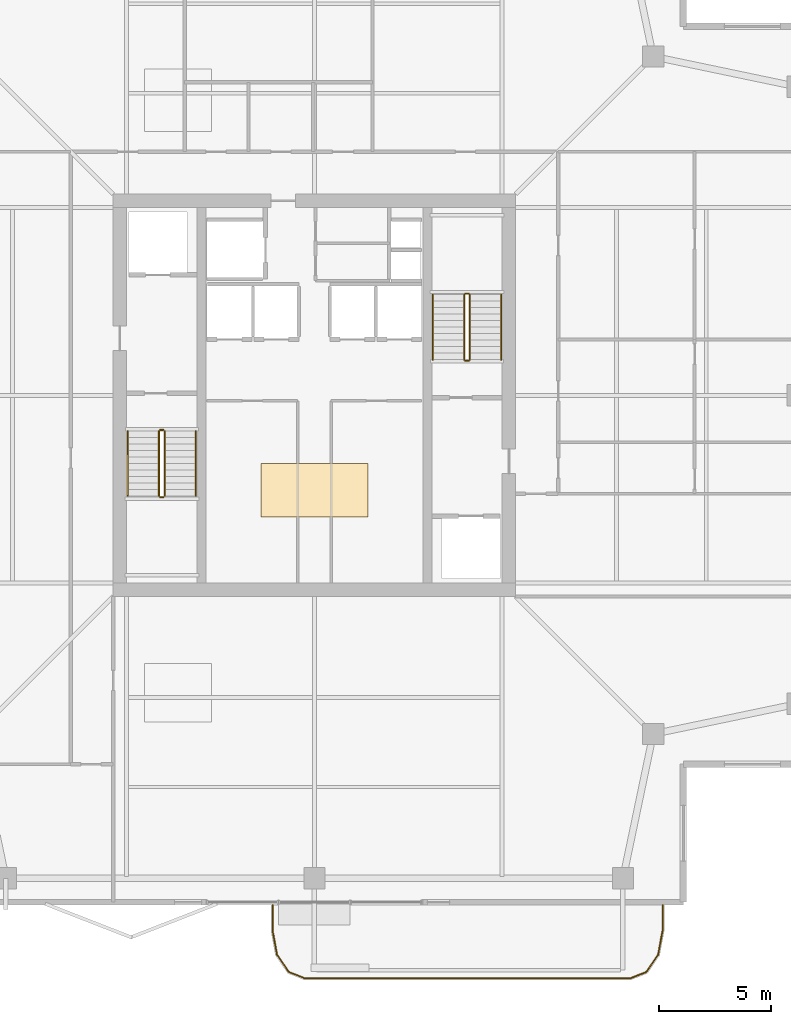
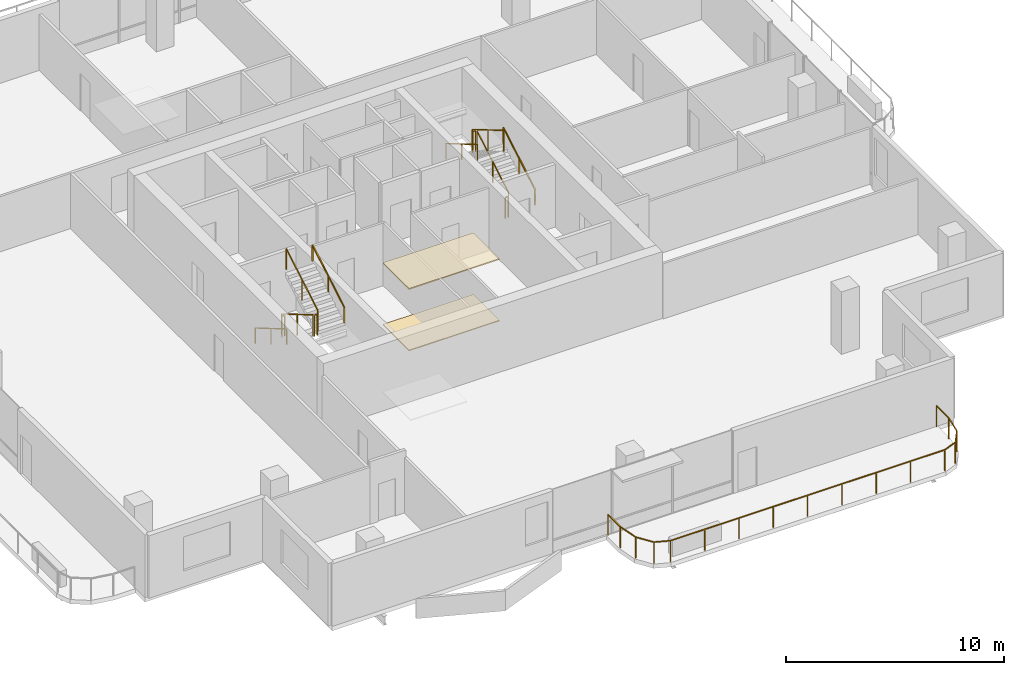
# One storey, part 17 of 18: 13 railings, 2 coverings.
"""IFC4 building model written with IfcOpenShell, lengths in metres."""

import ifcopenshell
import ifcopenshell.guid

model = None  # the IFC model being written
_history = None  # IfcOwnerHistory: only IFC2X3 demands one
_inside = {}  # id of a spatial element -> (the spatial element, [elements in it])
_under = {}  # id of a project, library or spatial element -> (it, [spatial elements below it])
_declared = {}  # id of a project -> (the project, [libraries it declares])
_typed = {}  # id of a type object -> (the type object, [elements of that type])
_made_of = {}  # id of a material, layer set ... -> (it, [elements and type objects made of it])


def new_model(schema):
    """Start an empty IFC model of exactly this schema.

    Asked for "IFC4X3", IfcOpenShell would pick the latest addendum, in which some entities
    have other attributes; the version numbers below select the first issue.
    IFC2X3 requires an IfcOwnerHistory on every rooted entity: one is made here for all.
    """
    global model, _history
    if schema == "IFC4X3":
        model = ifcopenshell.file(schema_version=(4, 3, 0, 0))
    else:
        model = ifcopenshell.file(schema=schema)
    _inside.clear()
    _under.clear()
    _declared.clear()
    _typed.clear()
    _made_of.clear()
    _history = None
    if model.schema == "IFC2X3":
        org = make("IfcOrganization", Name="unknown")
        user = make(
            "IfcPersonAndOrganization",
            ThePerson=make("IfcPerson", FamilyName="unknown"),
            TheOrganization=org,
        )
        app = make(
            "IfcApplication",
            ApplicationDeveloper=org,
            Version="unknown",
            ApplicationFullName="unknown",
            ApplicationIdentifier="unknown",
        )
        _history = make(
            "IfcOwnerHistory",
            OwningUser=user,
            OwningApplication=app,
            ChangeAction="ADDED",
            CreationDate=0,
        )
    return model


def make(cls, **values):
    """One entity of the class cls with the attributes given. An attribute that is None is left unset."""
    return model.create_entity(
        cls, **{name: value for name, value in values.items() if value is not None}
    )


def rooted(cls, **values):
    """An entity with a GlobalId (a new one), such as an element, a storey or a relation."""
    return make(cls, GlobalId=ifcopenshell.guid.new(), OwnerHistory=_history, **values)


def si_unit(unit_type, name, prefix=None):
    """IfcSIUnit, for example si_unit("LENGTHUNIT", "METRE", prefix="MILLI")."""
    return make("IfcSIUnit", UnitType=unit_type, Prefix=prefix, Name=name)


def assignment(units):
    """IfcUnitAssignment: the units of a project."""
    return None if units is None else make("IfcUnitAssignment", Units=units)


def point(xyz):
    """IfcCartesianPoint."""
    return None if xyz is None else make("IfcCartesianPoint", Coordinates=xyz)


def direction(xyz):
    """IfcDirection."""
    return None if xyz is None else make("IfcDirection", DirectionRatios=xyz)


def frame(location, z_axis=None, x_axis=None):
    """IfcAxis2Placement3D, a coordinate frame: its origin and axes. An axis left out is left unset."""
    return make(
        "IfcAxis2Placement3D",
        Location=point(location),
        Axis=direction(z_axis),
        RefDirection=direction(x_axis),
    )


def frame_2d(location, x_axis=None):
    """IfcAxis2Placement2D, a coordinate frame in the plane: its origin and x axis."""
    return make(
        "IfcAxis2Placement2D", Location=point(location), RefDirection=direction(x_axis)
    )


def origin():
    """The frame at (0, 0, 0) with its axes left unset."""
    return frame((0.0, 0.0, 0.0))


def origin_2d():
    """The frame at (0, 0) in the plane with its x axis left unset."""
    return frame_2d((0.0, 0.0))


def place(relative_to, where):
    """IfcLocalPlacement: puts the frame where relative to a parent placement (None: the world)."""
    return make(
        "IfcLocalPlacement", PlacementRelTo=relative_to, RelativePlacement=where
    )


def context(
    kind, dimensions, precision=None, world=None, true_north=None, identifier=None
):
    """IfcGeometricRepresentationContext, for example the 3D "Model" context."""
    return make(
        "IfcGeometricRepresentationContext",
        ContextIdentifier=identifier,
        ContextType=kind,
        CoordinateSpaceDimension=dimensions,
        Precision=precision,
        WorldCoordinateSystem=world,
        TrueNorth=true_north,
    )


def subcontext(parent, identifier, kind, view, scale=None):
    """IfcGeometricRepresentationSubContext, for example "Body" below "Model"."""
    return make(
        "IfcGeometricRepresentationSubContext",
        ContextIdentifier=identifier,
        ContextType=kind,
        ParentContext=parent,
        TargetScale=scale,
        TargetView=view,
    )


def project(units=None, contexts=None):
    """IfcProject with its units and contexts."""
    return rooted(
        "IfcProject",
        Name="project",
        RepresentationContexts=contexts,
        UnitsInContext=assignment(units),
    )


def spatial(cls, under=None, at=None, **own):
    """A site, building, storey or space (cls), placed at a placement, below another one or the project."""
    s = rooted(cls, ObjectPlacement=at, **own)
    if under is not None:
        _under.setdefault(under.id(), (under, []))[1].append(s)
    return s


def polyline(points):
    """IfcPolyline through the points."""
    return make("IfcPolyline", Points=[point(p) for p in points])


def profile(cls, at=None, kind="AREA", **sizes):
    """A parametric profile (cls). Its sizes go by their IFC names, for example OverallWidth=200.0."""
    return make(cls, ProfileType=kind, Position=at, **sizes)


def rectangle(**sizes):
    """IfcRectangleProfileDef."""
    return profile("IfcRectangleProfileDef", **sizes)


def outline(outer, holes=None, kind="AREA"):
    """IfcArbitraryClosedProfileDef: a profile drawn as a closed curve; with holes, ...WithVoids."""
    if holes is None:
        return make("IfcArbitraryClosedProfileDef", ProfileType=kind, OuterCurve=outer)
    return make(
        "IfcArbitraryProfileDefWithVoids",
        ProfileType=kind,
        OuterCurve=outer,
        InnerCurves=holes,
    )


def extrude(swept, where, along, depth):
    """IfcExtrudedAreaSolid: the profile swept, set in the frame where, extruded along a direction by depth."""
    return make(
        "IfcExtrudedAreaSolid",
        SweptArea=swept,
        Position=where,
        ExtrudedDirection=direction(along),
        Depth=depth,
    )


def shape(context_of_items, identifier, shape_type, items):
    """IfcShapeRepresentation: the items that make up one representation, for example the "Body"."""
    return make(
        "IfcShapeRepresentation",
        ContextOfItems=context_of_items,
        RepresentationIdentifier=identifier,
        RepresentationType=shape_type,
        Items=items,
    )


def material(Name=None, Category=None):
    """IfcMaterial."""
    return make("IfcMaterial", Name=Name, Category=Category)


def layer(
    of_material, thickness, ventilated=None, Name=None, Category=None, Priority=None
):
    """IfcMaterialLayer: one layer of a wall or slab, of a material (None: an air gap)."""
    return make(
        "IfcMaterialLayer",
        Material=of_material,
        LayerThickness=thickness,
        IsVentilated=ventilated,
        Name=Name,
        Category=Category,
        Priority=Priority,
    )


def layer_set(layers, Name=None):
    """IfcMaterialLayerSet."""
    return make("IfcMaterialLayerSet", MaterialLayers=layers, LayerSetName=Name)


def made_of(thing, what):
    """Note that an element or type object is made of a material, layer set ...; save() writes the relation."""
    if what is not None:
        _made_of.setdefault(what.id(), (what, []))[1].append(thing)
    return thing


def type_object(cls, material=None, **own):
    """A type object (cls), such as IfcWallType, which elements share."""
    return made_of(rooted(cls, **own), material)


def element(
    cls,
    number,
    at=None,
    inside=None,
    cuts=None,
    type_object=None,
    material=None,
    context=None,
    identifier="Body",
    shape_type=None,
    held_by="IfcProductDefinitionShape",
    body=None,
    shapes=None,
    **own,
):
    """One element of the class cls, such as IfcWall. Its Tag is "e" and its number.

    at: its placement. inside: the storey or other place that contains it. cuts: it is an
    opening in that element (IfcRelVoidsElement). A single representation is given by context,
    identifier, shape_type and body (its items); several are given by shapes. held_by: the class
    of the entity that holds the representations. save() writes the other relations.
    """
    e = rooted(cls, Tag="e%d" % number, ObjectPlacement=at, **own)
    if body is not None:
        shapes = [shape(context, identifier, shape_type, body)]
    if shapes is not None:
        e.Representation = make(held_by, Representations=shapes)
    if inside is not None:
        _inside.setdefault(inside.id(), (inside, []))[1].append(e)
    if cuts is not None:
        rooted(
            "IfcRelVoidsElement", RelatingBuildingElement=cuts, RelatedOpeningElement=e
        )
    if type_object is not None:
        _typed.setdefault(type_object.id(), (type_object, []))[1].append(e)
    return made_of(e, material)


def aggregate(whole, parts):
    """IfcRelAggregates: a whole, such as a stair, and the parts it consists of."""
    return rooted("IfcRelAggregates", RelatingObject=whole, RelatedObjects=parts)


def save(model, path):
    """Write the relations noted so far, then the file.

    IfcRelAggregates (storeys below a building ...), IfcRelContainedInSpatialStructure (elements
    in a storey), IfcRelDefinesByType, IfcRelAssociatesMaterial and IfcRelDeclares: one each for
    every whole, place, type object, material and project.
    """
    for whole, parts in _under.values():
        aggregate(whole, parts)
    for where, things in _inside.values():
        rooted(
            "IfcRelContainedInSpatialStructure",
            RelatedElements=things,
            RelatingStructure=where,
        )
    for kind, things in _typed.values():
        rooted("IfcRelDefinesByType", RelatedObjects=things, RelatingType=kind)
    for what, things in _made_of.values():
        rooted("IfcRelAssociatesMaterial", RelatedObjects=things, RelatingMaterial=what)
    for by, libraries in _declared.values():
        rooted("IfcRelDeclares", RelatingContext=by, RelatedDefinitions=libraries)
    model.write(path)


model = new_model("IFC4")

# Units and contexts
model_context = context("Model", 3, precision=1e-05, world=origin(), true_north=direction((0.0, 1.0)))
body_context = subcontext(model_context, "Body", "Model", "MODEL_VIEW")
ifc_project = project(units=[si_unit("LENGTHUNIT", "METRE"), si_unit("AREAUNIT", "SQUARE_METRE"), si_unit("VOLUMEUNIT", "CUBIC_METRE"), si_unit("PLANEANGLEUNIT", "RADIAN"), si_unit("MASSUNIT", "GRAM", prefix="KILO")], contexts=[model_context])

# Site, building, storey
site_placement = place(None, origin())
site = spatial("IfcSite", under=ifc_project, at=site_placement, CompositionType="ELEMENT")
building_placement = place(site_placement, origin())
building = spatial("IfcBuilding", under=site, at=building_placement, Name="Belovzor Exchange Tower", CompositionType="ELEMENT")
storey_placement = place(building_placement, frame((0.0, 0.0, 318.0)))
storey = spatial("IfcBuildingStorey", under=building, at=storey_placement, Name="L79", CompositionType="ELEMENT", Elevation=318.0)

# Railings
ifc_material_1 = material(Name="Stainless Steel Grade 304", Category="steel")
railing_type_1 = type_object("IfcRailingType", Name="Brushed Stainless Steel Stair Handrail 900", PredefinedType="HANDRAIL", material=ifc_material_1)
railing_1_placement = place(storey_placement, frame((20.449951171875, 27.199951171875, 0.17041015625)))
element("IfcRailing", 1, at=railing_1_placement, inside=storey, type_object=railing_type_1, Name="L79 ST-1 stair handrail 1", PredefinedType="HANDRAIL", context=body_context, shape_type="SweptSolid", body=[
    extrude(rectangle(XDim=0.048095703125, YDim=0.048095703125, at=origin_2d()), frame((0.0, 0.0, 0.8759765625), z_axis=(0.0, -0.86209462966, 0.506747323142), x_axis=(1.0, 0.0, 0.0)), (0.0, 0.0, 1.0), 3.36376953125),
    extrude(rectangle(XDim=0.0419921875, YDim=0.0419921875, at=origin_2d()), origin(), (0.0, 0.0, 1.0), 0.851806640625),
    extrude(rectangle(XDim=0.0419921875, YDim=0.0419921875, at=origin_2d()), frame((0.0, -1.449951171875, 0.852294921875)), (0.0, 0.0, 1.0), 0.851806640625),
    extrude(rectangle(XDim=0.0419921875, YDim=0.0419921875, at=origin_2d()), frame((0.0, -2.89990234375, 1.70458984375)), (0.0, 0.0, 1.0), 0.851806640625),
])
railing_2_placement = place(storey_placement, frame((23.5, 24.300048828125, 2.04541015625)))
element("IfcRailing", 2, at=railing_2_placement, inside=storey, type_object=railing_type_1, Name="L79 ST-1 stair handrail 2", PredefinedType="HANDRAIL", context=body_context, shape_type="SweptSolid", body=[
    extrude(rectangle(XDim=0.048095703125, YDim=0.048095703125, at=origin_2d()), frame((0.0, 0.0, 0.8759765625), z_axis=(0.0, 0.86209462966, 0.506747323142), x_axis=(-1.0, 0.0, 0.0)), (0.0, 0.0, 1.0), 3.36376953125),
    extrude(rectangle(XDim=0.0419921875, YDim=0.0419921875, at=origin_2d()), origin(), (0.0, 0.0, 1.0), 0.851806640625),
    extrude(rectangle(XDim=0.0419921875, YDim=0.0419921875, at=origin_2d()), frame((0.0, 1.449951171875, 0.852294921875)), (0.0, 0.0, 1.0), 0.851806640625),
    extrude(rectangle(XDim=0.0419921875, YDim=0.0419921875, at=origin_2d()), frame((0.0, 2.89990234375, 1.70458984375)), (0.0, 0.0, 1.0), 0.851806640625),
])
railing_3_placement = place(storey_placement, frame((37.14990234375, 30.39990234375, 0.17041015625)))
element("IfcRailing", 3, at=railing_3_placement, inside=storey, type_object=railing_type_1, Name="L79 ST-2 stair handrail 1", PredefinedType="HANDRAIL", context=body_context, shape_type="SweptSolid", body=[
    extrude(rectangle(XDim=0.048095703125, YDim=0.048095703125, at=origin_2d()), frame((0.0, 0.0, 0.8759765625), z_axis=(0.0, 0.862113265706, 0.506715617574), x_axis=(-1.0, 0.0, 0.0)), (0.0, 0.0, 1.0), 3.364013671875),
    extrude(rectangle(XDim=0.0419921875, YDim=0.0419921875, at=origin_2d()), origin(), (0.0, 0.0, 1.0), 0.851806640625),
    extrude(rectangle(XDim=0.0419921875, YDim=0.0419921875, at=origin_2d()), frame((0.0, 1.4501953125, 0.852294921875)), (0.0, 0.0, 1.0), 0.851806640625),
    extrude(rectangle(XDim=0.0419921875, YDim=0.0419921875, at=origin_2d()), frame((0.0, 2.900146484375, 1.70458984375)), (0.0, 0.0, 1.0), 0.851806640625),
])
railing_4_placement = place(storey_placement, frame((34.10009765625, 33.300048828125, 2.04541015625)))
element("IfcRailing", 4, at=railing_4_placement, inside=storey, type_object=railing_type_1, Name="L79 ST-2 stair handrail 2", PredefinedType="HANDRAIL", context=body_context, shape_type="SweptSolid", body=[
    extrude(rectangle(XDim=0.048095703125, YDim=0.048095703125, at=origin_2d()), frame((0.0, 0.0, 0.8759765625), z_axis=(0.0, -0.862113265706, 0.506715617574), x_axis=(1.0, 0.0, 0.0)), (0.0, 0.0, 1.0), 3.364013671875),
    extrude(rectangle(XDim=0.0419921875, YDim=0.0419921875, at=origin_2d()), origin(), (0.0, 0.0, 1.0), 0.851806640625),
    extrude(rectangle(XDim=0.0419921875, YDim=0.0419921875, at=origin_2d()), frame((0.0, -1.4501953125, 0.852294921875)), (0.0, 0.0, 1.0), 0.851806640625),
    extrude(rectangle(XDim=0.0419921875, YDim=0.0419921875, at=origin_2d()), frame((0.0, -2.900146484375, 1.70458984375)), (0.0, 0.0, 1.0), 0.851806640625),
])
ifc_material_2 = material(Name="Stainless Steel and Laminated Safety Glass", Category="steel")
railing_type_2 = type_object("IfcRailingType", Name="Laminated Glass & Stainless Steel Balcony Balustrade 1200", PredefinedType="BALUSTRADE", material=ifc_material_2)
railing_5_placement = place(storey_placement, frame((26.929931640625, 5.989990234375, 0.0)))
element("IfcRailing", 5, at=railing_5_placement, inside=storey, type_object=railing_type_2, Name="GR-1 Balcony Balustrade L79 South", PredefinedType="BALUSTRADE", context=body_context, shape_type="SweptSolid", body=[
    extrude(rectangle(XDim=0.048095703125, YDim=0.048095703125, at=origin_2d()), frame((0.0, 0.0, 1.17578125), z_axis=(0.0, -1.0, 0.0), x_axis=(1.0, 0.0, 0.0)), (0.0, 0.0, 1.0), 1.133056640625),
    extrude(rectangle(XDim=0.048095703125, YDim=0.048095703125, at=origin_2d()), frame((0.0, -1.133056640625, 1.17578125), z_axis=(0.180122719713, -0.983644145941, 0.0), x_axis=(0.983644145941, 0.180122719713, 0.0)), (0.0, 0.0, 1.0), 1.09375),
    extrude(rectangle(XDim=0.048095703125, YDim=0.048095703125, at=origin_2d()), frame((0.197021484375, -2.208984375, 1.17578125), z_axis=(0.56294695933, -0.826493025367, 0.0), x_axis=(0.826493025367, 0.56294695933, 0.0)), (0.0, 0.0, 1.0), 0.932861328125),
    extrude(rectangle(XDim=0.048095703125, YDim=0.048095703125, at=origin_2d()), frame((0.72216796875, -2.97998046875, 1.17578125), z_axis=(0.930766990125, -0.365612923861, 0.0), x_axis=(0.365612923861, 0.930766990125, 0.0)), (0.0, 0.0, 1.0), 0.765869140625),
    extrude(rectangle(XDim=0.048095703125, YDim=0.048095703125, at=origin_2d()), frame((1.43505859375, -3.260009765625, 1.17578125), z_axis=(1.0, 0.0, 0.0), x_axis=(0.0, 1.0, 0.0)), (0.0, 0.0, 1.0), 14.570068359375),
    extrude(rectangle(XDim=0.048095703125, YDim=0.048095703125, at=origin_2d()), frame((16.005126953125, -3.260009765625, 1.17578125), z_axis=(0.930766990125, 0.365612923861, 0.0), x_axis=(-0.365612923861, 0.930766990125, 0.0)), (0.0, 0.0, 1.0), 0.765869140625),
    extrude(rectangle(XDim=0.048095703125, YDim=0.048095703125, at=origin_2d()), frame((16.718017578125, -2.97998046875, 1.17578125), z_axis=(0.56294695933, 0.826493025367, 0.0), x_axis=(-0.826493025367, 0.56294695933, 0.0)), (0.0, 0.0, 1.0), 0.932861328125),
    extrude(rectangle(XDim=0.048095703125, YDim=0.048095703125, at=origin_2d()), frame((17.2431640625, -2.208984375, 1.17578125), z_axis=(0.180122719713, 0.983644145941, 0.0), x_axis=(-0.983644145941, 0.180122719713, 0.0)), (0.0, 0.0, 1.0), 1.09375),
    extrude(rectangle(XDim=0.048095703125, YDim=0.048095703125, at=origin_2d()), frame((17.440185546875, -1.133056640625, 1.17578125), z_axis=(0.0, 1.0, 0.0), x_axis=(-1.0, 0.0, 0.0)), (0.0, 0.0, 1.0), 1.133056640625),
    extrude(rectangle(XDim=0.0419921875, YDim=0.0419921875, at=origin_2d()), origin(), (0.0, 0.0, 1.0), 1.15185546875),
    extrude(rectangle(XDim=0.0419921875, YDim=0.0419921875, at=origin_2d()), frame((0.0, -1.133056640625, 0.0)), (0.0, 0.0, 1.0), 1.15185546875),
    extrude(rectangle(XDim=0.0419921875, YDim=0.0419921875, at=origin_2d()), frame((0.197021484375, -2.208984375, 0.0)), (0.0, 0.0, 1.0), 1.15185546875),
    extrude(rectangle(XDim=0.0419921875, YDim=0.0419921875, at=origin_2d()), frame((0.72216796875, -2.97998046875, 0.0)), (0.0, 0.0, 1.0), 1.15185546875),
    extrude(rectangle(XDim=0.0419921875, YDim=0.0419921875, at=origin_2d()), frame((1.43505859375, -3.260009765625, 0.0)), (0.0, 0.0, 1.0), 1.15185546875),
    extrude(rectangle(XDim=0.0419921875, YDim=0.0419921875, at=origin_2d()), frame((3.25634765625, -3.260009765625, 0.0)), (0.0, 0.0, 1.0), 1.15185546875),
    extrude(rectangle(XDim=0.0419921875, YDim=0.0419921875, at=origin_2d()), frame((5.07763671875, -3.260009765625, 0.0)), (0.0, 0.0, 1.0), 1.15185546875),
    extrude(rectangle(XDim=0.0419921875, YDim=0.0419921875, at=origin_2d()), frame((6.89892578125, -3.260009765625, 0.0)), (0.0, 0.0, 1.0), 1.15185546875),
    extrude(rectangle(XDim=0.0419921875, YDim=0.0419921875, at=origin_2d()), frame((8.72021484375, -3.260009765625, 0.0)), (0.0, 0.0, 1.0), 1.15185546875),
    extrude(rectangle(XDim=0.0419921875, YDim=0.0419921875, at=origin_2d()), frame((10.541259765625, -3.260009765625, 0.0)), (0.0, 0.0, 1.0), 1.15185546875),
    extrude(rectangle(XDim=0.0419921875, YDim=0.0419921875, at=origin_2d()), frame((12.362548828125, -3.260009765625, 0.0)), (0.0, 0.0, 1.0), 1.15185546875),
    extrude(rectangle(XDim=0.0419921875, YDim=0.0419921875, at=origin_2d()), frame((14.183837890625, -3.260009765625, 0.0)), (0.0, 0.0, 1.0), 1.15185546875),
    extrude(rectangle(XDim=0.0419921875, YDim=0.0419921875, at=origin_2d()), frame((16.005126953125, -3.260009765625, 0.0)), (0.0, 0.0, 1.0), 1.15185546875),
    extrude(rectangle(XDim=0.0419921875, YDim=0.0419921875, at=origin_2d()), frame((16.718017578125, -2.97998046875, 0.0)), (0.0, 0.0, 1.0), 1.15185546875),
    extrude(rectangle(XDim=0.0419921875, YDim=0.0419921875, at=origin_2d()), frame((17.2431640625, -2.208984375, 0.0)), (0.0, 0.0, 1.0), 1.15185546875),
    extrude(rectangle(XDim=0.0419921875, YDim=0.0419921875, at=origin_2d()), frame((17.440185546875, -1.133056640625, 0.0)), (0.0, 0.0, 1.0), 1.15185546875),
    extrude(rectangle(XDim=0.0419921875, YDim=0.0419921875, at=origin_2d()), frame((17.440185546875, 0.0, 0.0)), (0.0, 0.0, 1.0), 1.15185546875),
])
ifc_material_3 = material(Name="Steel S355", Category="steel")
railing_type_3 = type_object("IfcRailingType", Name="Painted Steel Stairwell Guardrail 1200", PredefinedType="GUARDRAIL", material=ifc_material_3)
railing_6_placement = place(storey_placement, frame((21.85009765625, 27.199951171875, 0.17041015625)))
element("IfcRailing", 6, at=railing_6_placement, inside=storey, type_object=railing_type_3, Name="L79 ST-1 stair guard 1", PredefinedType="GUARDRAIL", context=body_context, shape_type="SweptSolid", body=[
    extrude(rectangle(XDim=0.048095703125, YDim=0.048095703125, at=origin_2d()), frame((0.0, 0.0, 1.17578125), z_axis=(0.0, -0.86209462966, 0.506747323142), x_axis=(1.0, 0.0, 0.0)), (0.0, 0.0, 1.0), 3.36376953125),
    extrude(rectangle(XDim=0.0419921875, YDim=0.0419921875, at=origin_2d()), origin(), (0.0, 0.0, 1.0), 1.15185546875),
    extrude(rectangle(XDim=0.0419921875, YDim=0.0419921875, at=origin_2d()), frame((0.0, -1.449951171875, 0.852294921875)), (0.0, 0.0, 1.0), 1.15185546875),
    extrude(rectangle(XDim=0.0419921875, YDim=0.0419921875, at=origin_2d()), frame((0.0, -2.89990234375, 1.70458984375)), (0.0, 0.0, 1.0), 1.15185546875),
])
railing_7_placement = place(storey_placement, frame((21.89990234375, 24.25, 1.875)))
element("IfcRailing", 7, at=railing_7_placement, inside=storey, type_object=railing_type_3, Name="L79 ST-1 stair guard 2", PredefinedType="GUARDRAIL", context=body_context, shape_type="SweptSolid", body=[
    extrude(rectangle(XDim=0.048095703125, YDim=0.048095703125, at=origin_2d()), frame((0.0, 0.0, 1.17578125), z_axis=(1.0, 0.0, 0.0), x_axis=(0.0, 1.0, 0.0)), (0.0, 0.0, 1.0), 0.150146484375),
    extrude(rectangle(XDim=0.0419921875, YDim=0.0419921875, at=origin_2d()), origin(), (0.0, 0.0, 1.0), 1.15185546875),
    extrude(rectangle(XDim=0.0419921875, YDim=0.0419921875, at=origin_2d()), frame((0.150146484375, 0.0, 0.0)), (0.0, 0.0, 1.0), 1.15185546875),
])
railing_8_placement = place(storey_placement, frame((22.10009765625, 24.300048828125, 2.04541015625)))
element("IfcRailing", 8, at=railing_8_placement, inside=storey, type_object=railing_type_3, Name="L79 ST-1 stair guard 3", PredefinedType="GUARDRAIL", context=body_context, shape_type="SweptSolid", body=[
    extrude(rectangle(XDim=0.048095703125, YDim=0.048095703125, at=origin_2d()), frame((0.0, 0.0, 1.17578125), z_axis=(0.0, 0.86209462966, 0.506747323142), x_axis=(-1.0, 0.0, 0.0)), (0.0, 0.0, 1.0), 3.36376953125),
    extrude(rectangle(XDim=0.0419921875, YDim=0.0419921875, at=origin_2d()), origin(), (0.0, 0.0, 1.0), 1.15185546875),
    extrude(rectangle(XDim=0.0419921875, YDim=0.0419921875, at=origin_2d()), frame((0.0, 1.449951171875, 0.852294921875)), (0.0, 0.0, 1.0), 1.15185546875),
    extrude(rectangle(XDim=0.0419921875, YDim=0.0419921875, at=origin_2d()), frame((0.0, 2.89990234375, 1.70458984375)), (0.0, 0.0, 1.0), 1.15185546875),
])
railing_9_placement = place(storey_placement, frame((21.89990234375, 27.25, 0.0)))
element("IfcRailing", 9, at=railing_9_placement, inside=storey, type_object=railing_type_3, Name="L79 ST-1 stair guard 4", PredefinedType="GUARDRAIL", context=body_context, shape_type="SweptSolid", body=[
    extrude(rectangle(XDim=0.048095703125, YDim=0.048095703125, at=origin_2d()), frame((0.0, 0.0, 1.17578125), z_axis=(1.0, 0.0, 0.0), x_axis=(0.0, 1.0, 0.0)), (0.0, 0.0, 1.0), 0.150146484375),
    extrude(rectangle(XDim=0.0419921875, YDim=0.0419921875, at=origin_2d()), origin(), (0.0, 0.0, 1.0), 1.15185546875),
    extrude(rectangle(XDim=0.0419921875, YDim=0.0419921875, at=origin_2d()), frame((0.150146484375, 0.0, 0.0)), (0.0, 0.0, 1.0), 1.15185546875),
])
railing_10_placement = place(storey_placement, frame((35.75, 30.39990234375, 0.17041015625)))
element("IfcRailing", 10, at=railing_10_placement, inside=storey, type_object=railing_type_3, Name="L79 ST-2 stair guard 1", PredefinedType="GUARDRAIL", context=body_context, shape_type="SweptSolid", body=[
    extrude(rectangle(XDim=0.048095703125, YDim=0.048095703125, at=origin_2d()), frame((0.0, 0.0, 1.17578125), z_axis=(0.0, 0.862113265706, 0.506715617574), x_axis=(-1.0, 0.0, 0.0)), (0.0, 0.0, 1.0), 3.364013671875),
    extrude(rectangle(XDim=0.0419921875, YDim=0.0419921875, at=origin_2d()), origin(), (0.0, 0.0, 1.0), 1.15185546875),
    extrude(rectangle(XDim=0.0419921875, YDim=0.0419921875, at=origin_2d()), frame((0.0, 1.4501953125, 0.852294921875)), (0.0, 0.0, 1.0), 1.15185546875),
    extrude(rectangle(XDim=0.0419921875, YDim=0.0419921875, at=origin_2d()), frame((0.0, 2.900146484375, 1.70458984375)), (0.0, 0.0, 1.0), 1.15185546875),
])
railing_11_placement = place(storey_placement, frame((35.699951171875, 33.35009765625, 1.875)))
element("IfcRailing", 11, at=railing_11_placement, inside=storey, type_object=railing_type_3, Name="L79 ST-2 stair guard 2", PredefinedType="GUARDRAIL", context=body_context, shape_type="SweptSolid", body=[
    extrude(rectangle(XDim=0.048095703125, YDim=0.048095703125, at=origin_2d()), frame((0.0, 0.0, 1.17578125), z_axis=(-1.0, 0.0, 0.0), x_axis=(0.0, -1.0, 0.0)), (0.0, 0.0, 1.0), 0.14990234375),
    extrude(rectangle(XDim=0.0419921875, YDim=0.0419921875, at=origin_2d()), origin(), (0.0, 0.0, 1.0), 1.15185546875),
    extrude(rectangle(XDim=0.0419921875, YDim=0.0419921875, at=origin_2d()), frame((-0.14990234375, 0.0, 0.0)), (0.0, 0.0, 1.0), 1.15185546875),
])
railing_12_placement = place(storey_placement, frame((35.5, 33.300048828125, 2.04541015625)))
element("IfcRailing", 12, at=railing_12_placement, inside=storey, type_object=railing_type_3, Name="L79 ST-2 stair guard 3", PredefinedType="GUARDRAIL", context=body_context, shape_type="SweptSolid", body=[
    extrude(rectangle(XDim=0.048095703125, YDim=0.048095703125, at=origin_2d()), frame((0.0, 0.0, 1.17578125), z_axis=(0.0, -0.862113265706, 0.506715617574), x_axis=(1.0, 0.0, 0.0)), (0.0, 0.0, 1.0), 3.364013671875),
    extrude(rectangle(XDim=0.0419921875, YDim=0.0419921875, at=origin_2d()), origin(), (0.0, 0.0, 1.0), 1.15185546875),
    extrude(rectangle(XDim=0.0419921875, YDim=0.0419921875, at=origin_2d()), frame((0.0, -1.4501953125, 0.852294921875)), (0.0, 0.0, 1.0), 1.15185546875),
    extrude(rectangle(XDim=0.0419921875, YDim=0.0419921875, at=origin_2d()), frame((0.0, -2.900146484375, 1.70458984375)), (0.0, 0.0, 1.0), 1.15185546875),
])
railing_13_placement = place(storey_placement, frame((35.699951171875, 30.35009765625, 0.0)))
element("IfcRailing", 13, at=railing_13_placement, inside=storey, type_object=railing_type_3, Name="L79 ST-2 stair guard 4", PredefinedType="GUARDRAIL", context=body_context, shape_type="SweptSolid", body=[
    extrude(rectangle(XDim=0.048095703125, YDim=0.048095703125, at=origin_2d()), frame((0.0, 0.0, 1.17578125), z_axis=(-1.0, 0.0, 0.0), x_axis=(0.0, -1.0, 0.0)), (0.0, 0.0, 1.0), 0.14990234375),
    extrude(rectangle(XDim=0.0419921875, YDim=0.0419921875, at=origin_2d()), origin(), (0.0, 0.0, 1.0), 1.15185546875),
    extrude(rectangle(XDim=0.0419921875, YDim=0.0419921875, at=origin_2d()), frame((-0.14990234375, 0.0, 0.0)), (0.0, 0.0, 1.0), 1.15185546875),
])

# Coverings
ifc_material_4 = material(Name="Perforated Powder-Coated Aluminium", Category="aluminium")
ifc_layer_1 = layer(ifc_material_4, 0.06005859375)
ifc_layer_set_1 = layer_set([ifc_layer_1], Name="Perforated Powder-Coated Aluminium")
covering_type_1 = type_object("IfcCoveringType", Name="Perforated Acoustic Metal Tile Suspended Ceiling 60", PredefinedType="CEILING", material=ifc_layer_set_1)
covering_1_placement = place(storey_placement, frame((0.0, 0.0, 3.449951171875)))
element("IfcCovering", 14, at=covering_1_placement, inside=storey, type_object=covering_type_1, Name="CLG-AC60 Suspended Ceiling CLG-L79-LOB", PredefinedType="CEILING", context=body_context, shape_type="SweptSolid", body=[
    extrude(outline(polyline([(26.39990234375, 23.35009765625), (31.199951171875, 23.35009765625), (31.199951171875, 25.75), (26.39990234375, 25.75), (26.39990234375, 23.35009765625)])), origin(), (0.0, 0.0, 1.0), 0.06005859375),
])
ifc_material_5 = material(Name="Polished Natural Granite Tile", Category="masonry")
ifc_layer_2 = layer(ifc_material_5, 0.050048828125)
ifc_layer_set_2 = layer_set([ifc_layer_2], Name="Polished Natural Granite Tile")
covering_type_2 = type_object("IfcCoveringType", Name="Polished Karelian Granite & Raised Access Floor Finish 50", PredefinedType="FLOORING", material=ifc_layer_set_2)
covering_2_placement = place(storey_placement, origin())
element("IfcCovering", 15, at=covering_2_placement, inside=storey, type_object=covering_type_2, Name="FLR-GR50 Floor Finish FLR-L79-LOB", PredefinedType="FLOORING", context=body_context, shape_type="SweptSolid", body=[
    extrude(outline(polyline([(26.39990234375, 23.35009765625), (31.199951171875, 23.35009765625), (31.199951171875, 25.75), (26.39990234375, 25.75), (26.39990234375, 23.35009765625)])), origin(), (0.0, 0.0, 1.0), 0.050048828125),
])

save(model, "model.ifc")
